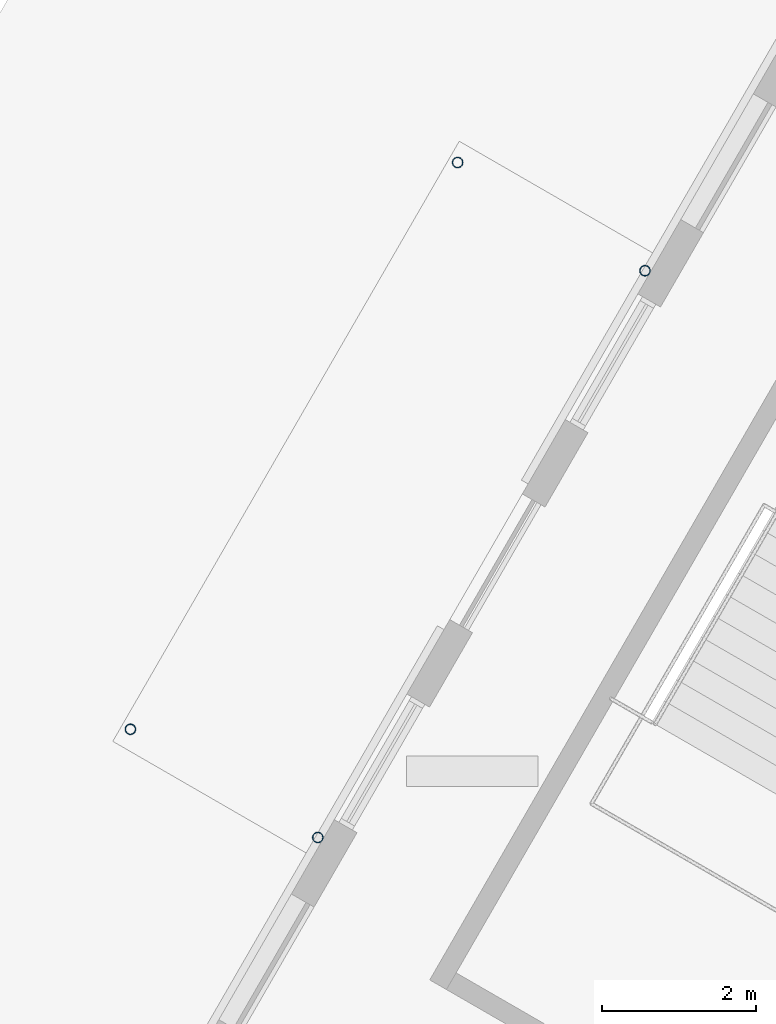
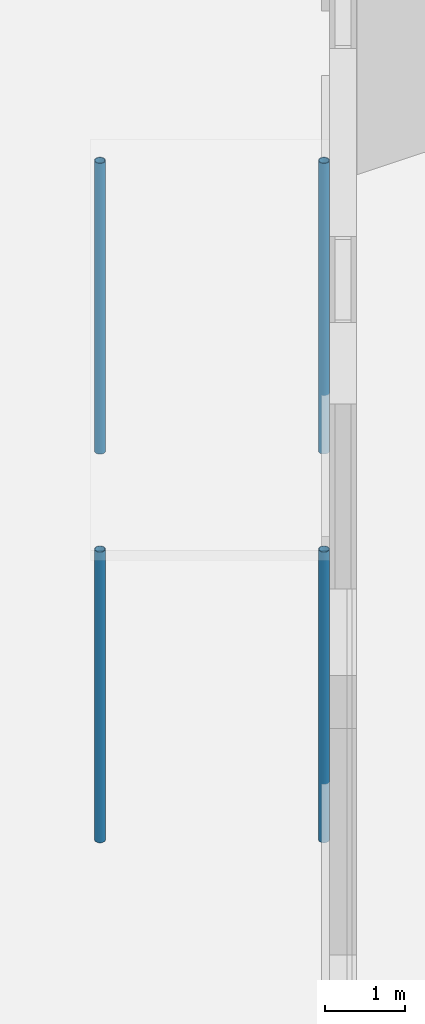
# One storey, part 1 of 24: 4 columns.
"""IFC4 building model written with IfcOpenShell, lengths in metres."""

from ifc_helpers import new_model, si_unit, direction, frame, origin, origin_2d, place, context, subcontext, project, spatial, hollow_circle, extrude, material, material_profile, profile_set, type_object, element, save


model = new_model("IFC4")

# Units and contexts
model_context = context("Model", 3, precision=1e-05, world=origin(), true_north=direction((0.0, 1.0)))
body_context = subcontext(model_context, "Body", "Model", "MODEL_VIEW")
ifc_project = project(units=[si_unit("LENGTHUNIT", "METRE"), si_unit("AREAUNIT", "SQUARE_METRE"), si_unit("VOLUMEUNIT", "CUBIC_METRE"), si_unit("PLANEANGLEUNIT", "RADIAN"), si_unit("MASSUNIT", "GRAM", prefix="KILO")], contexts=[model_context])

# Site, building, storey
site_placement = place(None, origin())
site = spatial("IfcSite", under=ifc_project, at=site_placement, CompositionType="ELEMENT")
building_placement = place(site_placement, origin())
building = spatial("IfcBuilding", under=site, at=building_placement, Name="Fogline Exchange Tower", CompositionType="ELEMENT")
storey_placement = place(building_placement, origin())
storey = spatial("IfcBuildingStorey", under=building, at=storey_placement, Name="L00", CompositionType="ELEMENT", Elevation=0.0)

# Columns
ifc_material = material(Name="Steel Q355 grade B", Category="steel")
ifc_material_profile = material_profile(ifc_material, hollow_circle(Radius=0.070068359375, WallThickness=0.008056640625, at=origin_2d()), Name="CHS 140x8")
ifc_profile_set = profile_set([ifc_material_profile], Name="Steel Q355 grade B")
column_type = type_object("IfcColumnType", Name="CC1", PredefinedType="COLUMN", material=ifc_profile_set)
for number, where, z_axis, x_axis, name in (
    (1, (-36.369140625, 25.9052734375, 0.0), (0.0, 0.0, 1.0), (1.0, 0.0, 0.0), "Canopy post ST-W"),
    (2, (-40.619140625, 18.5439453125, 0.0), (0.0, 0.0, 1.0), (1.0, 0.0, 0.0), "Canopy post ST-W"),
    (3, (-33.935546875, 24.500244140625, 0.0), (0.0, 0.0, 1.0), (1.0, 0.0, 0.0), "Canopy post ST-W"),
    (4, (-38.185546875, 17.138916015625, 0.0), (0.0, 0.0, 1.0), (1.0, 0.0, 0.0), "Canopy post ST-W"),
):
    element("IfcColumn", number, at=place(storey_placement, frame(where, z_axis=z_axis, x_axis=x_axis)), inside=storey, type_object=column_type, Name=name, PredefinedType="COLUMN", context=body_context, shape_type="SweptSolid", body=[
        extrude(hollow_circle(Radius=0.070068359375, WallThickness=0.008056640625, at=origin_2d()), origin(), (0.0, 0.0, 1.0), 4.449951171875),
    ])

save(model, "model.ifc")
